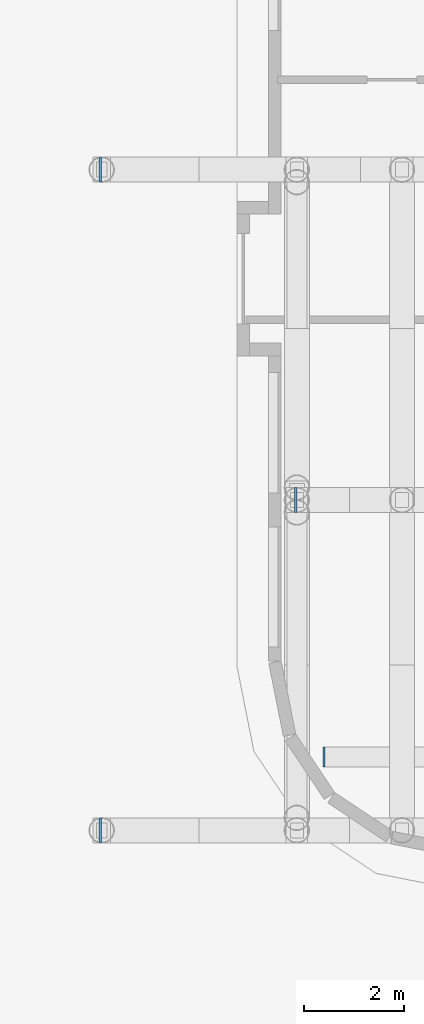
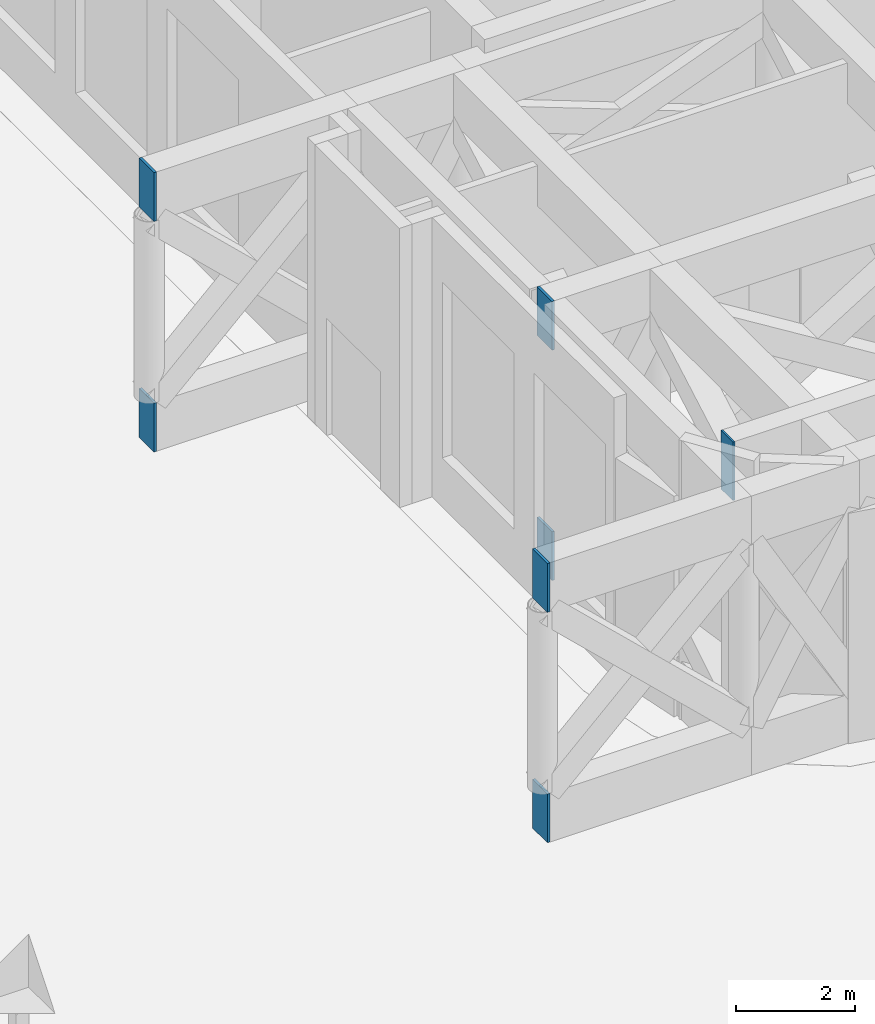
# One storey, part 4 of 20: 7 plates.
"""IFC4 building model written with IfcOpenShell, lengths in metres."""

from ifc_helpers import new_model, si_unit, direction, frame, origin, origin_2d, place, context, subcontext, project, spatial, rectangle, extrude, material, layer, layer_set, type_object, element, save


model = new_model("IFC4")

# Units and contexts
model_context = context("Model", 3, precision=1e-05, world=origin(), true_north=direction((0.0, 1.0)))
body_context = subcontext(model_context, "Body", "Model", "MODEL_VIEW")
ifc_project = project(units=[si_unit("LENGTHUNIT", "METRE"), si_unit("AREAUNIT", "SQUARE_METRE"), si_unit("VOLUMEUNIT", "CUBIC_METRE"), si_unit("PLANEANGLEUNIT", "RADIAN"), si_unit("MASSUNIT", "GRAM", prefix="KILO")], contexts=[model_context])

# Site, building, storey
site_placement = place(None, origin())
site = spatial("IfcSite", under=ifc_project, at=site_placement, CompositionType="ELEMENT")
building_placement = place(site_placement, origin())
building = spatial("IfcBuilding", under=site, at=building_placement, Name="Torana Hotel and Residences", CompositionType="ELEMENT")
storey_placement = place(building_placement, frame((0.0, 0.0, 18.0)))
storey = spatial("IfcBuildingStorey", under=building, at=storey_placement, Name="L03", CompositionType="ELEMENT", Elevation=18.0)

# Plates
ifc_material_1 = material(Name="Steel S355", Category="steel")
ifc_layer_1 = layer(ifc_material_1, 0.0400390625)
ifc_layer_set_1 = layer_set([ifc_layer_1], Name="STEEL END PLATE 40")
plate_type_1 = type_object("IfcPlateType", Name="STEEL END PLATE 40", PredefinedType="SHEET", material=ifc_layer_set_1)
plate_placement = place(storey_placement, frame((-31.56005859375, -26.72998046875, 4.52001953125), z_axis=(0.0, 0.0, 1.0), x_axis=(-1.0, 0.0, 0.0)))
element("IfcPlate", 1, at=plate_placement, inside=storey, type_object=plate_type_1, Name="End plate L03", PredefinedType="SHEET", context=body_context, shape_type="SweptSolid", body=[
    extrude(rectangle(XDim=0.0400390625, YDim=0.39990234375, at=origin_2d()), origin(), (0.0, 0.0, 1.0), 1.199951171875),
])
ifc_material_2 = material(Name="Steel S355", Category="steel")
ifc_layer_2 = layer(ifc_material_2, 0.050048828125)
ifc_layer_set_2 = layer_set([ifc_layer_2], Name="STEEL END PLATE 50")
plate_type_2 = type_object("IfcPlateType", Name="STEEL END PLATE 50", PredefinedType="SHEET", material=ifc_layer_set_2)
for number, where, z_axis, x_axis, name in (
    (2, (-36.02490234375, -28.199951171875, 0.0), (0.0, 0.0, 1.0), (-1.0, 0.0, 0.0), "End plate L03"),
    (3, (-36.02490234375, -28.199951171875, 4.719970703125), (0.0, 0.0, 1.0), (-1.0, 0.0, 0.0), "End plate L03"),
    (4, (-32.125, -21.60009765625, 0.0), (0.0, 0.0, 1.0), (-1.0, 0.0, 0.0), "End plate L03"),
    (5, (-32.125, -21.60009765625, 4.719970703125), (0.0, 0.0, 1.0), (-1.0, 0.0, 0.0), "End plate L03"),
    (6, (-36.02490234375, -15.0, 0.0), (0.0, 0.0, 1.0), (-1.0, 0.0, 0.0), "End plate L03"),
    (7, (-36.02490234375, -15.0, 4.719970703125), (0.0, 0.0, 1.0), (-1.0, 0.0, 0.0), "End plate L03"),
):
    element("IfcPlate", number, at=place(storey_placement, frame(where, z_axis=z_axis, x_axis=x_axis)), inside=storey, type_object=plate_type_2, Name=name, PredefinedType="SHEET", context=body_context, shape_type="SweptSolid", body=[
        extrude(rectangle(XDim=0.050048828125, YDim=0.5, at=origin_2d()), origin(), (0.0, 0.0, 1.0), 1.0),
    ])

save(model, "model.ifc")
